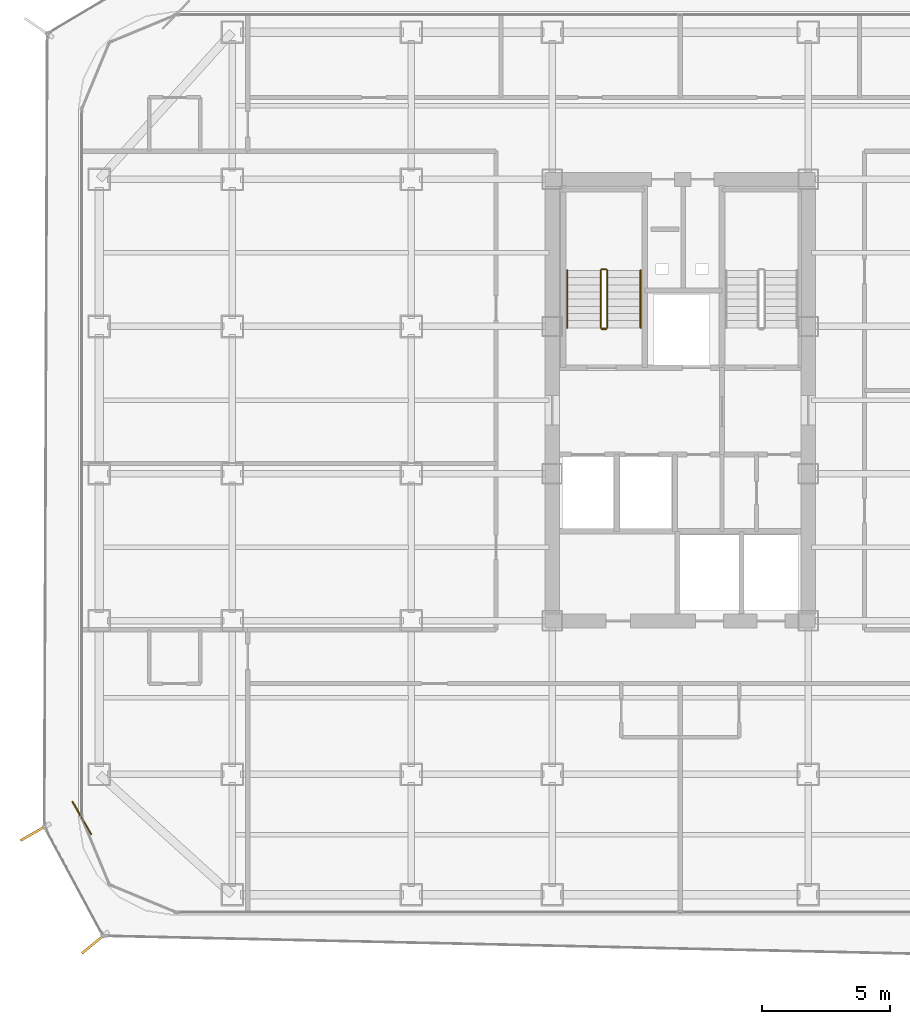
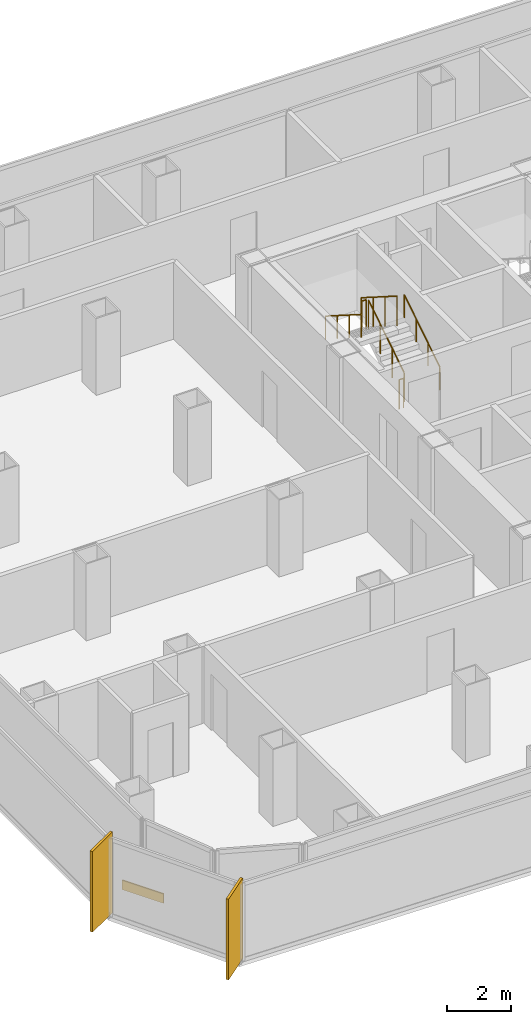
# One storey, part 19 of 21: 6 railings, 2 shading devices, 1 covering.
"""IFC4 building model written with IfcOpenShell, lengths in metres."""

from ifc_helpers import new_model, si_unit, direction, frame, origin, origin_2d, place, context, subcontext, project, spatial, rectangle, circle, extrude, source, transform, mapped, material, layer, layer_set, type_object, element, save


model = new_model("IFC4")

# Units and contexts
model_context = context("Model", 3, precision=1e-05, world=origin(), true_north=direction((0.0, 1.0)))
body_context = subcontext(model_context, "Body", "Model", "MODEL_VIEW")
ifc_project = project(units=[si_unit("LENGTHUNIT", "METRE"), si_unit("AREAUNIT", "SQUARE_METRE"), si_unit("VOLUMEUNIT", "CUBIC_METRE"), si_unit("PLANEANGLEUNIT", "RADIAN"), si_unit("MASSUNIT", "GRAM", prefix="KILO")], contexts=[model_context])

# Site, building, storey
site_placement = place(None, origin())
site = spatial("IfcSite", under=ifc_project, at=site_placement, CompositionType="ELEMENT")
building_placement = place(site_placement, origin())
building = spatial("IfcBuilding", under=site, at=building_placement, Name="Kolveth Station Tower", CompositionType="ELEMENT")
storey_placement = place(building_placement, frame((0.0, 0.0, 134.300048828125)))
storey = spatial("IfcBuildingStorey", under=building, at=storey_placement, Name="L37", CompositionType="ELEMENT", Elevation=134.300048828125)

# Railings
ifc_material_1 = material(Name="Painted Steel S355 balustrade", Category="steel")
railing_type_1 = type_object("IfcRailingType", Name="Guard_GR2", PredefinedType="BALUSTRADE", material=ifc_material_1)
railing_1_placement = place(storey_placement, frame((20.64990234375, 22.949951171875, 0.177734375)))
element("IfcRailing", 1, at=railing_1_placement, inside=storey, type_object=railing_type_1, Name="L37 ST1 stair guard 1", PredefinedType="BALUSTRADE", context=body_context, shape_type="SweptSolid", body=[
    extrude(circle(Radius=0.02392578125, at=origin_2d()), frame((0.0, 0.0, 1.1259765625), z_axis=(0.0, 0.8442293374, 0.53598211339), x_axis=(-1.0, 0.0, 0.0)), (0.0, 0.0, 1.0), 2.6533203125),
    extrude(circle(Radius=0.02099609375, at=origin_2d()), origin(), (0.0, 0.0, 1.0), 1.101806640625),
    extrude(circle(Radius=0.02099609375, at=origin_2d()), frame((0.0, 0.74658203125, 0.47412109375)), (0.0, 0.0, 1.0), 1.101806640625),
    extrude(circle(Radius=0.02099609375, at=origin_2d()), frame((0.0, 1.493408203125, 0.947998046875)), (0.0, 0.0, 1.0), 1.101806640625),
    extrude(circle(Radius=0.02099609375, at=origin_2d()), frame((0.0, 2.239990234375, 1.422119140625)), (0.0, 0.0, 1.0), 1.101806640625),
])
railing_2_placement = place(storey_placement, frame((20.60009765625, 25.239990234375, 1.599853515625)))
element("IfcRailing", 2, at=railing_2_placement, inside=storey, type_object=railing_type_1, Name="L37 ST1 stair guard 2", PredefinedType="BALUSTRADE", context=body_context, shape_type="SweptSolid", body=[
    extrude(circle(Radius=0.02392578125, at=origin_2d()), frame((0.0, 0.0, 1.1259765625), z_axis=(-1.0, 0.0, 0.0), x_axis=(0.0, -1.0, 0.0)), (0.0, 0.0, 1.0), 0.16015625),
    extrude(circle(Radius=0.02099609375, at=origin_2d()), origin(), (0.0, 0.0, 1.0), 1.101806640625),
    extrude(circle(Radius=0.02099609375, at=origin_2d()), frame((-0.16015625, 0.0, 0.0)), (0.0, 0.0, 1.0), 1.101806640625),
])
railing_3_placement = place(storey_placement, frame((20.389892578125, 25.18994140625, 1.77783203125)))
element("IfcRailing", 3, at=railing_3_placement, inside=storey, type_object=railing_type_1, Name="L37 ST1 stair guard 3", PredefinedType="BALUSTRADE", context=body_context, shape_type="SweptSolid", body=[
    extrude(circle(Radius=0.02392578125, at=origin_2d()), frame((0.0, 0.0, 1.1259765625), z_axis=(0.0, -0.8442293374, 0.53598211339), x_axis=(1.0, 0.0, 0.0)), (0.0, 0.0, 1.0), 2.6533203125),
    extrude(circle(Radius=0.02099609375, at=origin_2d()), origin(), (0.0, 0.0, 1.0), 1.101806640625),
    extrude(circle(Radius=0.02099609375, at=origin_2d()), frame((0.0, -0.74658203125, 0.47412109375)), (0.0, 0.0, 1.0), 1.101806640625),
    extrude(circle(Radius=0.02099609375, at=origin_2d()), frame((0.0, -1.493408203125, 0.947998046875)), (0.0, 0.0, 1.0), 1.101806640625),
    extrude(circle(Radius=0.02099609375, at=origin_2d()), frame((0.0, -2.239990234375, 1.422119140625)), (0.0, 0.0, 1.0), 1.101806640625),
])
railing_4_placement = place(storey_placement, frame((20.60009765625, 22.89990234375, 0.0)))
element("IfcRailing", 4, at=railing_4_placement, inside=storey, type_object=railing_type_1, Name="L37 ST1 stair guard 4", PredefinedType="BALUSTRADE", context=body_context, shape_type="SweptSolid", body=[
    extrude(circle(Radius=0.02392578125, at=origin_2d()), frame((0.0, 0.0, 1.1259765625), z_axis=(-1.0, 0.0, 0.0), x_axis=(0.0, -1.0, 0.0)), (0.0, 0.0, 1.0), 0.16015625),
    extrude(circle(Radius=0.02099609375, at=origin_2d()), origin(), (0.0, 0.0, 1.0), 1.101806640625),
    extrude(circle(Radius=0.02099609375, at=origin_2d()), frame((-0.16015625, 0.0, 0.0)), (0.0, 0.0, 1.0), 1.101806640625),
])
ifc_material_2 = material(Name="Brushed stainless steel", Category="steel")
railing_type_2 = type_object("IfcRailingType", Name="Handrail_HR1", PredefinedType="HANDRAIL", material=ifc_material_2)
railing_5_placement = place(storey_placement, frame((21.949951171875, 22.949951171875, 0.177734375)))
element("IfcRailing", 5, at=railing_5_placement, inside=storey, type_object=railing_type_2, Name="L37 ST1 stair handrail 1", PredefinedType="HANDRAIL", context=body_context, shape_type="SweptSolid", body=[
    extrude(circle(Radius=0.02392578125, at=origin_2d()), frame((0.0, 0.0, 0.8759765625), z_axis=(0.0, 0.8442293374, 0.53598211339), x_axis=(-1.0, 0.0, 0.0)), (0.0, 0.0, 1.0), 2.6533203125),
    extrude(circle(Radius=0.02099609375, at=origin_2d()), origin(), (0.0, 0.0, 1.0), 0.851806640625),
    extrude(circle(Radius=0.02099609375, at=origin_2d()), frame((0.0, 0.74658203125, 0.47412109375)), (0.0, 0.0, 1.0), 0.851806640625),
    extrude(circle(Radius=0.02099609375, at=origin_2d()), frame((0.0, 1.493408203125, 0.947998046875)), (0.0, 0.0, 1.0), 0.851806640625),
    extrude(circle(Radius=0.02099609375, at=origin_2d()), frame((0.0, 2.239990234375, 1.422119140625)), (0.0, 0.0, 1.0), 0.851806640625),
])
railing_6_placement = place(storey_placement, frame((19.090087890625, 25.18994140625, 1.77783203125)))
element("IfcRailing", 6, at=railing_6_placement, inside=storey, type_object=railing_type_2, Name="L37 ST1 stair handrail 2", PredefinedType="HANDRAIL", context=body_context, shape_type="SweptSolid", body=[
    extrude(circle(Radius=0.02392578125, at=origin_2d()), frame((0.0, 0.0, 0.8759765625), z_axis=(0.0, -0.8442293374, 0.53598211339), x_axis=(1.0, 0.0, 0.0)), (0.0, 0.0, 1.0), 2.6533203125),
    extrude(circle(Radius=0.02099609375, at=origin_2d()), origin(), (0.0, 0.0, 1.0), 0.851806640625),
    extrude(circle(Radius=0.02099609375, at=origin_2d()), frame((0.0, -0.74658203125, 0.47412109375)), (0.0, 0.0, 1.0), 0.851806640625),
    extrude(circle(Radius=0.02099609375, at=origin_2d()), frame((0.0, -1.493408203125, 0.947998046875)), (0.0, 0.0, 1.0), 0.851806640625),
    extrude(circle(Radius=0.02099609375, at=origin_2d()), frame((0.0, -2.239990234375, 1.422119140625)), (0.0, 0.0, 1.0), 0.851806640625),
])

# Shading devices
ifc_material_3 = material(Name="Black anodized aluminium 6063-T6", Category="aluminium")
shading_device_type = type_object("IfcShadingDeviceType", Name="FIN_VF1", PredefinedType="USERDEFINED", material=ifc_material_3)
shared_shape_1 = source(origin(), body_context, "Body", "SweptSolid", [
    extrude(rectangle(XDim=1.25, YDim=0.090087890625, at=origin_2d()), origin(), (0.0, 0.0, 1.0), 3.10009765625),
])
for number, where, z_axis, x_axis, name in (
    (7, (-1.72802734375, 3.22900390625, 0.0), (0.0, 0.0, 1.0), (-0.868198814489, -0.496216503675, 0.0), "L37 Dark-Aluminium Solar Fin 7"),
    (8, (0.60693359375, -1.093994140625, 0.0), (0.0, 0.0, 1.0), (-0.773729652124, -0.633515923575, 0.0), "L37 Dark-Aluminium Solar Fin 8"),
):
    element("IfcShadingDevice", number, at=place(storey_placement, frame(where, z_axis=z_axis, x_axis=x_axis)), inside=storey, type_object=shading_device_type, Name=name, ObjectType="FIN", PredefinedType="USERDEFINED", context=body_context, shape_type="MappedRepresentation", body=[
        mapped(shared_shape_1, transform((0.0, 0.0, 0.0), x_axis=(1.0, 0.0, 0.0), y_axis=(0.0, 1.0, 0.0), z_axis=(0.0, 0.0, 1.0), scale=1.0)),
    ])

# Covering
ifc_material_4 = material(Name="Charcoal anodized aluminium spandrel cladding", Category="aluminium")
ifc_layer = layer(ifc_material_4, 0.044921875)
ifc_layer_set = layer_set([ifc_layer], Name="Charcoal anodized aluminium spandrel cladding")
covering_type = type_object("IfcCoveringType", Name="Clad_CD1", PredefinedType="CLADDING", material=ifc_layer_set)
shared_shape_2 = source(origin(), body_context, "Body", "SweptSolid", [
    extrude(rectangle(XDim=1.5, YDim=0.044921875, at=origin_2d()), origin(), (0.0, 0.0, 1.0), 0.360107421875),
])
covering_placement = place(storey_placement, frame((0.1201171875, 3.800048828125, 0.0), z_axis=(0.0, 0.0, 1.0), x_axis=(0.496216503675, -0.868198814489, 0.0)))
element("IfcCovering", 9, at=covering_placement, inside=storey, type_object=covering_type, Name="L37 Spandrel Edge Cladding 7", PredefinedType="CLADDING", context=body_context, shape_type="MappedRepresentation", body=[
    mapped(shared_shape_2, transform((0.0, 0.0, 0.0), x_axis=(1.0, 0.0, 0.0), y_axis=(0.0, 1.0, 0.0), z_axis=(0.0, 0.0, 1.0), scale=1.0)),
])

save(model, "model.ifc")
